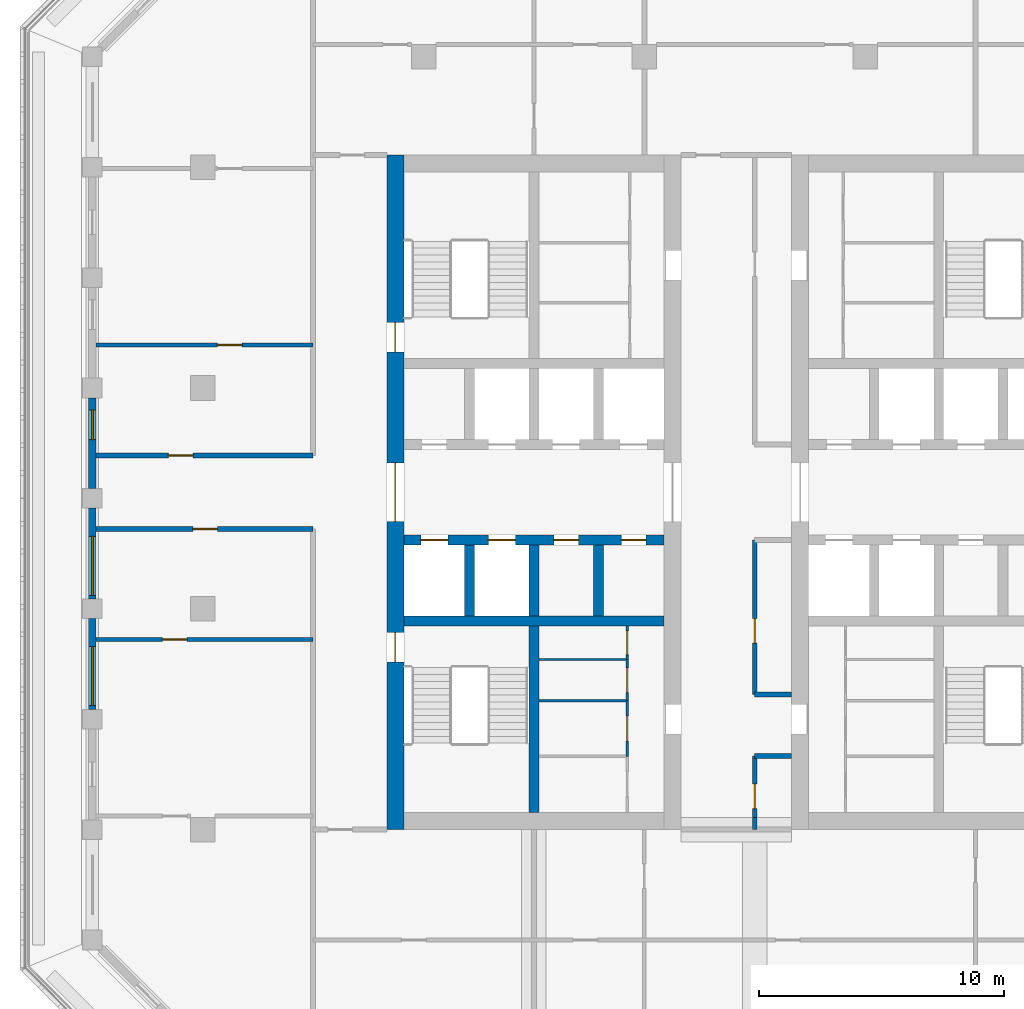
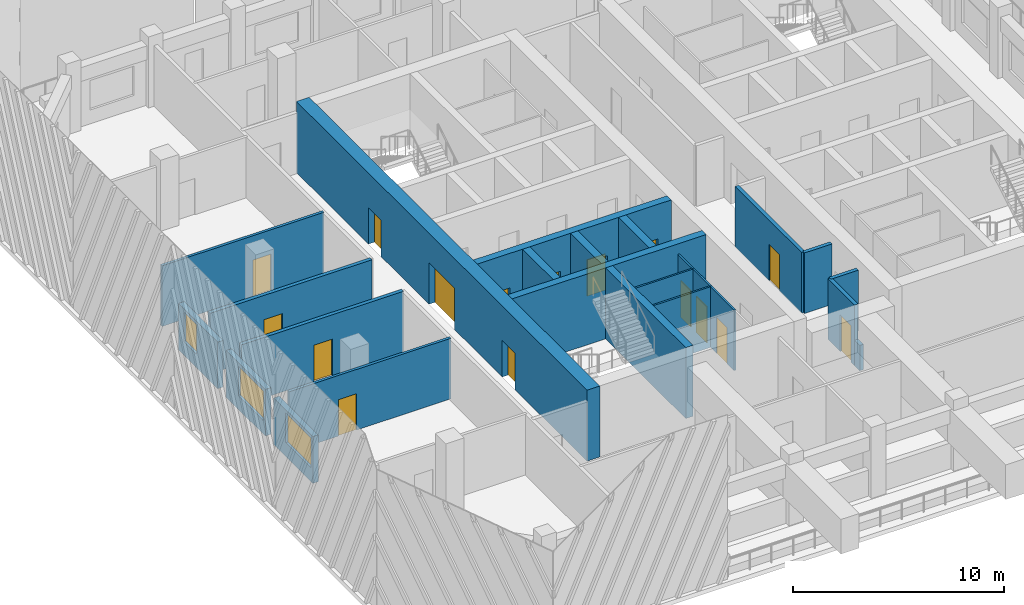
# One storey, part 3 of 16: 24 walls, 16 doors, 3 windows, 19 openings.
"""IFC4 building model written with IfcOpenShell, lengths in metres."""

from ifc_helpers import new_model, si_unit, direction, frame, frame_2d, origin, place, context, subcontext, project, spatial, rectangle, extrude, material, layer, layer_set, type_object, element, fill, save


model = new_model("IFC4")

# Units and contexts
model_context = context("Model", 3, precision=1e-05, world=origin(), true_north=direction((0.0, 1.0)))
body_context = subcontext(model_context, "Body", "Model", "MODEL_VIEW")
ifc_project = project(units=[si_unit("LENGTHUNIT", "METRE"), si_unit("AREAUNIT", "SQUARE_METRE"), si_unit("VOLUMEUNIT", "CUBIC_METRE"), si_unit("PLANEANGLEUNIT", "RADIAN"), si_unit("MASSUNIT", "GRAM", prefix="KILO")], contexts=[model_context])

# Site, building, storey
site_placement = place(None, origin())
site = spatial("IfcSite", under=ifc_project, at=site_placement, CompositionType="ELEMENT")
building_placement = place(site_placement, origin())
building = spatial("IfcBuilding", under=site, at=building_placement, Name="Corbel Stack Research Tower", CompositionType="ELEMENT")
storey_placement = place(building_placement, frame((0.0, 0.0, 290.89990234375)))
storey = spatial("IfcBuildingStorey", under=building, at=storey_placement, Name="L66", CompositionType="ELEMENT", Elevation=290.89990234375)

# Wall
ifc_material_1 = material(Name="Concrete C60/75", Category="concrete")
ifc_layer_1 = layer(ifc_material_1, 0.39990234375)
ifc_layer_set_1 = layer_set([ifc_layer_1], Name="Concrete C60/75")
wall_type_1 = type_object("IfcWallType", Name="CW-400-60", PredefinedType="SHEAR", material=ifc_layer_set_1)
wall_1_placement = place(storey_placement, frame((-9.800048828125, -0.5, 0.0), z_axis=(0.0, 0.0, 1.0), x_axis=(1.0, 0.0, 0.0)))
element("IfcWall", 1, at=wall_1_placement, inside=storey, type_object=wall_type_1, Name="West core wall, south row back L66", PredefinedType="SHEAR", context=body_context, shape_type="SweptSolid", body=[
    extrude(rectangle(XDim=10.60009765625, YDim=0.39990234375, at=frame_2d((5.300048828125, 0.0))), origin(), (0.0, 0.0, 1.0), 4.10009765625),
])

# Wall, openings, doors
wall_2_placement = place(storey_placement, frame((-9.800048828125, 2.800048828125, 0.0), z_axis=(0.0, 0.0, 1.0), x_axis=(1.0, 0.0, 0.0)))
wall_2 = element("IfcWall", 2, at=wall_2_placement, inside=storey, type_object=wall_type_1, Name="West core wall, lobby south L66", PredefinedType="SHEAR", context=body_context, shape_type="SweptSolid", body=[
    extrude(rectangle(XDim=10.60009765625, YDim=0.39990234375, at=frame_2d((5.300048828125, 0.0))), origin(), (0.0, 0.0, 1.0), 4.10009765625),
])
opening_1_placement = place(wall_2_placement, frame((0.6875, 0.0, 0.0)))
opening_1 = element("IfcOpeningElement", 3, at=opening_1_placement, cuts=wall_2, Name="Opening LD-FS1", PredefinedType="OPENING", context=body_context, shape_type="SweptSolid", body=[
    extrude(rectangle(XDim=1.10009765625, YDim=2.10009765625, at=frame_2d((0.550048828125, 1.050048828125))), frame((0.0, 0.2099609375, 0.0), z_axis=(0.0, -1.0, 0.0), x_axis=(1.0, 0.0, 0.0)), (0.0, 0.0, 1.0), 0.419921875),
])
opening_2_placement = place(wall_2_placement, frame((3.4375, 0.0, 0.0)))
opening_2 = element("IfcOpeningElement", 4, at=opening_2_placement, cuts=wall_2, Name="Opening LD-GL1", PredefinedType="OPENING", context=body_context, shape_type="SweptSolid", body=[
    extrude(rectangle(XDim=1.10009765625, YDim=2.10009765625, at=frame_2d((0.550048828125, 1.050048828125))), frame((0.0, 0.2099609375, 0.0), z_axis=(0.0, -1.0, 0.0), x_axis=(1.0, 0.0, 0.0)), (0.0, 0.0, 1.0), 0.419921875),
])
opening_3_placement = place(wall_2_placement, frame((6.112548828125, 0.0, 0.0)))
opening_3 = element("IfcOpeningElement", 5, at=opening_3_placement, cuts=wall_2, Name="Opening CR-W42-S3", PredefinedType="OPENING", context=body_context, shape_type="SweptSolid", body=[
    extrude(rectangle(XDim=1.0, YDim=2.10009765625, at=frame_2d((0.5, 1.050048828125))), frame((0.0, 0.2099609375, 0.0), z_axis=(0.0, -1.0, 0.0), x_axis=(1.0, 0.0, 0.0)), (0.0, 0.0, 1.0), 0.419921875),
])
opening_4_placement = place(wall_2_placement, frame((8.862548828125, 0.0, 0.0)))
opening_4 = element("IfcOpeningElement", 6, at=opening_4_placement, cuts=wall_2, Name="Opening CR-W42-S4", PredefinedType="OPENING", context=body_context, shape_type="SweptSolid", body=[
    extrude(rectangle(XDim=1.0, YDim=2.10009765625, at=frame_2d((0.5, 1.050048828125))), frame((0.0, 0.2099609375, 0.0), z_axis=(0.0, -1.0, 0.0), x_axis=(1.0, 0.0, 0.0)), (0.0, 0.0, 1.0), 0.419921875),
])
ifc_material_2 = material(Name="Stainless steel landing door", Category="steel")
door_type_1 = type_object("IfcDoorType", Name="Lift landing door 1100 x 2100", OperationType="DOUBLE_DOOR_SLIDING", PredefinedType="DOOR", material=ifc_material_2)
door_1_placement = place(opening_1_placement, origin())
door_1 = element("IfcDoor", 7, at=door_1_placement, inside=storey, type_object=door_type_1, Name="Landing door FS1", OperationType="DOUBLE_DOOR_SLIDING", OverallHeight=2.10009765625, OverallWidth=1.10009765625, PredefinedType="DOOR", context=body_context, shape_type="SweptSolid", body=[
    extrude(rectangle(XDim=1.10009765625, YDim=2.10009765625, at=frame_2d((0.550048828125, 1.050048828125))), frame((0.0, 0.02490234375, 0.0), z_axis=(0.0, -1.0, 0.0), x_axis=(1.0, 0.0, 0.0)), (0.0, 0.0, 1.0), 0.050048828125),
])
fill(opening_1, door_1)
door_2_placement = place(opening_2_placement, origin())
door_2 = element("IfcDoor", 8, at=door_2_placement, inside=storey, type_object=door_type_1, Name="Landing door GL1", OperationType="DOUBLE_DOOR_SLIDING", OverallHeight=2.10009765625, OverallWidth=1.10009765625, PredefinedType="DOOR", context=body_context, shape_type="SweptSolid", body=[
    extrude(rectangle(XDim=1.10009765625, YDim=2.10009765625, at=frame_2d((0.550048828125, 1.050048828125))), frame((0.0, 0.02490234375, 0.0), z_axis=(0.0, -1.0, 0.0), x_axis=(1.0, 0.0, 0.0)), (0.0, 0.0, 1.0), 0.050048828125),
])
fill(opening_2, door_2)
ifc_material_3 = material(Name="Painted steel door", Category="steel")
door_type_2 = type_object("IfcDoorType", Name="Service door 1000 x 2100 FD60 left hand", OperationType="SINGLE_SWING_LEFT", PredefinedType="DOOR", material=ifc_material_3)
door_3_placement = place(opening_3_placement, origin())
door_3 = element("IfcDoor", 9, at=door_3_placement, inside=storey, type_object=door_type_2, Name="Laboratory consumables store door W core", OperationType="SINGLE_SWING_LEFT", OverallHeight=2.10009765625, OverallWidth=1.0, PredefinedType="DOOR", context=body_context, shape_type="SweptSolid", body=[
    extrude(rectangle(XDim=1.0, YDim=2.10009765625, at=frame_2d((0.5, 1.050048828125))), frame((0.0, 0.02490234375, 0.0), z_axis=(0.0, -1.0, 0.0), x_axis=(1.0, 0.0, 0.0)), (0.0, 0.0, 1.0), 0.050048828125),
])
fill(opening_3, door_3)
ifc_material_4 = material(Name="Painted steel door", Category="steel")
door_type_3 = type_object("IfcDoorType", Name="Service door 1000 x 2100 FD60 right hand", OperationType="SINGLE_SWING_RIGHT", PredefinedType="DOOR", material=ifc_material_4)
door_4_placement = place(opening_4_placement, origin())
door_4 = element("IfcDoor", 10, at=door_4_placement, inside=storey, type_object=door_type_3, Name="Cleaner's store door W core", OperationType="SINGLE_SWING_RIGHT", OverallHeight=2.10009765625, OverallWidth=1.0, PredefinedType="DOOR", context=body_context, shape_type="SweptSolid", body=[
    extrude(rectangle(XDim=1.0, YDim=2.10009765625, at=frame_2d((0.5, 1.050048828125))), frame((0.0, 0.02490234375, 0.0), z_axis=(0.0, -1.0, 0.0), x_axis=(1.0, 0.0, 0.0)), (0.0, 0.0, 1.0), 0.050048828125),
])
fill(opening_4, door_4)

# Walls
for number, where, z_axis, x_axis, name in (
    (11, (-7.125, -0.300048828125, 0.0), (0.0, 0.0, 1.0), (0.0, 1.0, 0.0), "West core wall, south shaft 1 L66"),
    (12, (-4.5, -0.300048828125, 0.0), (0.0, 0.0, 1.0), (0.0, 1.0, 0.0), "West core wall, south shaft 2 L66"),
    (13, (-1.875, -0.300048828125, 0.0), (0.0, 0.0, 1.0), (0.0, 1.0, 0.0), "West core wall, south shaft 3 L66"),
):
    element("IfcWall", number, at=place(storey_placement, frame(where, z_axis=z_axis, x_axis=x_axis)), inside=storey, type_object=wall_type_1, Name=name, PredefinedType="SHEAR", context=body_context, shape_type="SweptSolid", body=[
        extrude(rectangle(XDim=2.900146484375, YDim=0.39990234375, at=frame_2d((1.4501953125, 0.0))), origin(), (0.0, 0.0, 1.0), 4.10009765625),
    ])
wall_3_placement = place(storey_placement, frame((-4.5, -8.300048828125, 0.0), z_axis=(0.0, 0.0, 1.0), x_axis=(0.0, 1.0, 0.0)))
element("IfcWall", 14, at=wall_3_placement, inside=storey, type_object=wall_type_1, Name="West core wall, south stair and WC L66", PredefinedType="SHEAR", context=body_context, shape_type="SweptSolid", body=[
    extrude(rectangle(XDim=7.60009765625, YDim=0.39990234375, at=frame_2d((3.800048828125, 0.0))), origin(), (0.0, 0.0, 1.0), 4.10009765625),
])

# Wall, openings, doors
ifc_material_5 = material(Name="Concrete C60/75", Category="concrete")
ifc_layer_2 = layer(ifc_material_5, 0.699951171875)
ifc_layer_set_2 = layer_set([ifc_layer_2], Name="Concrete C60/75")
wall_type_2 = type_object("IfcWallType", Name="CW-700-60", PredefinedType="SHEAR", material=ifc_layer_set_2)
wall_4_placement = place(storey_placement, frame((-10.14990234375, -9.0, 0.0), z_axis=(0.0, 0.0, 1.0), x_axis=(0.0, 1.0, 0.0)))
wall_4 = element("IfcWall", 15, at=wall_4_placement, inside=storey, type_object=wall_type_2, Name="West core wall, west face L66", PredefinedType="SHEAR", context=body_context, shape_type="SweptSolid", body=[
    extrude(rectangle(XDim=27.5, YDim=0.699951171875, at=frame_2d((13.75, 0.0))), origin(), (0.0, 0.0, 1.0), 4.10009765625),
])
opening_5_placement = place(wall_4_placement, frame((12.550048828125, 0.0, 0.0)))
opening_5 = element("IfcOpeningElement", 16, at=opening_5_placement, cuts=wall_4, Name="Opening CD-W-W", PredefinedType="OPENING", context=body_context, shape_type="SweptSolid", body=[
    extrude(rectangle(XDim=2.39990234375, YDim=2.39990234375, at=frame_2d((1.199951171875, 1.199951171875))), frame((0.0, 0.35986328125, 0.0), z_axis=(0.0, -1.0, 0.0), x_axis=(1.0, 0.0, 0.0)), (0.0, 0.0, 1.0), 0.719970703125),
])
opening_6_placement = place(wall_4_placement, frame((6.824951171875, 0.0, 0.0)))
opening_6 = element("IfcOpeningElement", 17, at=opening_6_placement, cuts=wall_4, Name="Opening SD-ST-W1", PredefinedType="OPENING", context=body_context, shape_type="SweptSolid", body=[
    extrude(rectangle(XDim=1.199951171875, YDim=2.10009765625, at=frame_2d((0.60009765625, 1.050048828125))), frame((0.0, 0.35986328125, 0.0), z_axis=(0.0, -1.0, 0.0), x_axis=(1.0, 0.0, 0.0)), (0.0, 0.0, 1.0), 0.719970703125),
])
opening_7_placement = place(wall_4_placement, frame((19.47509765625, 0.0, 0.0)))
opening_7 = element("IfcOpeningElement", 18, at=opening_7_placement, cuts=wall_4, Name="Opening SD-ST-W2", PredefinedType="OPENING", context=body_context, shape_type="SweptSolid", body=[
    extrude(rectangle(XDim=1.199951171875, YDim=2.10009765625, at=frame_2d((0.60009765625, 1.050048828125))), frame((0.0, 0.35986328125, 0.0), z_axis=(0.0, -1.0, 0.0), x_axis=(1.0, 0.0, 0.0)), (0.0, 0.0, 1.0), 0.719970703125),
])
ifc_material_6 = material(Name="Painted steel fire door", Category="steel")
door_type_4 = type_object("IfcDoorType", Name="Lobby door pair 2400 x 2400 FD30S", OperationType="DOUBLE_DOOR_DOUBLE_SWING", PredefinedType="DOOR", material=ifc_material_6)
door_5_placement = place(opening_5_placement, origin())
door_5 = element("IfcDoor", 19, at=door_5_placement, inside=storey, type_object=door_type_4, Name="Lift lobby door W core W", OperationType="DOUBLE_DOOR_DOUBLE_SWING", OverallHeight=2.39990234375, OverallWidth=2.39990234375, PredefinedType="DOOR", context=body_context, shape_type="SweptSolid", body=[
    extrude(rectangle(XDim=2.39990234375, YDim=2.39990234375, at=frame_2d((1.199951171875, 1.199951171875))), frame((0.0, 0.02490234375, 0.0), z_axis=(0.0, -1.0, 0.0), x_axis=(1.0, 0.0, 0.0)), (0.0, 0.0, 1.0), 0.050048828125),
])
fill(opening_5, door_5)
ifc_material_7 = material(Name="Painted steel fire door", Category="steel")
door_type_5 = type_object("IfcDoorType", Name="Stair door 1200 x 2100 FD90 left hand", OperationType="SINGLE_SWING_LEFT", PredefinedType="DOOR", material=ifc_material_7)
door_6_placement = place(opening_6_placement, origin())
door_6 = element("IfcDoor", 20, at=door_6_placement, inside=storey, type_object=door_type_5, Name="Stair door ST-W1", OperationType="SINGLE_SWING_LEFT", OverallHeight=2.10009765625, OverallWidth=1.199951171875, PredefinedType="DOOR", context=body_context, shape_type="SweptSolid", body=[
    extrude(rectangle(XDim=1.199951171875, YDim=2.10009765625, at=frame_2d((0.60009765625, 1.050048828125))), frame((0.0, 0.02490234375, 0.0), z_axis=(0.0, -1.0, 0.0), x_axis=(1.0, 0.0, 0.0)), (0.0, 0.0, 1.0), 0.050048828125),
])
fill(opening_6, door_6)
door_7_placement = place(opening_7_placement, origin())
door_7 = element("IfcDoor", 21, at=door_7_placement, inside=storey, type_object=door_type_5, Name="Stair door ST-W2", OperationType="SINGLE_SWING_LEFT", OverallHeight=2.10009765625, OverallWidth=1.199951171875, PredefinedType="DOOR", context=body_context, shape_type="SweptSolid", body=[
    extrude(rectangle(XDim=1.199951171875, YDim=2.10009765625, at=frame_2d((0.60009765625, 1.050048828125))), frame((0.0, 0.02490234375, 0.0), z_axis=(0.0, -1.0, 0.0), x_axis=(1.0, 0.0, 0.0)), (0.0, 0.0, 1.0), 0.050048828125),
])
fill(opening_7, door_7)

# Wall, opening, door
ifc_material_8 = material(Name="Gypsum board")
ifc_layer_3 = layer(ifc_material_8, 0.10009765625)
ifc_layer_set_3 = layer_set([ifc_layer_3], Name="Gypsum board")
wall_type_3 = type_object("IfcWallType", Name="Core partition 100", PredefinedType="PARTITIONING", material=ifc_layer_set_3)
wall_5_placement = place(storey_placement, frame((-0.699951171875, -6.02001953125, 0.0), z_axis=(0.0, 0.0, 1.0), x_axis=(0.0, 1.0, 0.0)))
wall_5 = element("IfcWall", 22, at=wall_5_placement, inside=storey, type_object=wall_type_3, Name="Core partition W", PredefinedType="PARTITIONING", context=body_context, shape_type="SweptSolid", body=[
    extrude(rectangle(XDim=2.280029296875, YDim=0.10009765625, at=frame_2d((1.14013671875, 0.0))), origin(), (0.0, 0.0, 1.0), 3.5),
])
opening_8_placement = place(wall_5_placement, frame((0.639892578125, 0.0, 0.0)))
opening_8 = element("IfcOpeningElement", 23, at=opening_8_placement, cuts=wall_5, Name="Opening CR-W42-W3-1000", PredefinedType="OPENING", context=body_context, shape_type="SweptSolid", body=[
    extrude(rectangle(XDim=1.0, YDim=2.10009765625, at=frame_2d((0.5, 1.050048828125))), frame((0.0, 0.06005859375, 0.0), z_axis=(0.0, -1.0, 0.0), x_axis=(1.0, 0.0, 0.0)), (0.0, 0.0, 1.0), 0.1201171875),
])
ifc_material_9 = material(Name="Painted timber door", Category="wood")
door_type_6 = type_object("IfcDoorType", Name="WC door 1000 x 2100 left hand", OperationType="SINGLE_SWING_LEFT", PredefinedType="DOOR", material=ifc_material_9)
door_8_placement = place(opening_8_placement, origin())
door_8 = element("IfcDoor", 24, at=door_8_placement, inside=storey, type_object=door_type_6, Name="Women's WC door W core", OperationType="SINGLE_SWING_LEFT", OverallHeight=2.10009765625, OverallWidth=1.0, PredefinedType="DOOR", context=body_context, shape_type="SweptSolid", body=[
    extrude(rectangle(XDim=1.0, YDim=2.10009765625, at=frame_2d((0.5, 1.050048828125))), frame((0.0, 0.02490234375, 0.0), z_axis=(0.0, -1.0, 0.0), x_axis=(1.0, 0.0, 0.0)), (0.0, 0.0, 1.0), 0.050048828125),
])
fill(opening_8, door_8)

wall_6_placement = place(storey_placement, frame((-0.699951171875, -3.739990234375, 0.0), z_axis=(0.0, 0.0, 1.0), x_axis=(0.0, 1.0, 0.0)))
wall_6 = element("IfcWall", 25, at=wall_6_placement, inside=storey, type_object=wall_type_3, Name="Core partition W", PredefinedType="PARTITIONING", context=body_context, shape_type="SweptSolid", body=[
    extrude(rectangle(XDim=1.671875, YDim=0.10009765625, at=frame_2d((0.8359375, 0.0))), origin(), (0.0, 0.0, 1.0), 3.5),
])
opening_9_placement = place(wall_6_placement, frame((0.3359375, 0.0, 0.0)))
opening_9 = element("IfcOpeningElement", 26, at=opening_9_placement, cuts=wall_6, Name="Opening CR-W42-W4-1000", PredefinedType="OPENING", context=body_context, shape_type="SweptSolid", body=[
    extrude(rectangle(XDim=1.0, YDim=2.10009765625, at=frame_2d((0.5, 1.050048828125))), frame((0.0, 0.06005859375, 0.0), z_axis=(0.0, -1.0, 0.0), x_axis=(1.0, 0.0, 0.0)), (0.0, 0.0, 1.0), 0.1201171875),
])
ifc_material_10 = material(Name="Painted timber door", Category="wood")
door_type_7 = type_object("IfcDoorType", Name="WC door 1000 x 2100 right hand", OperationType="SINGLE_SWING_RIGHT", PredefinedType="DOOR", material=ifc_material_10)
door_9_placement = place(opening_9_placement, origin())
door_9 = element("IfcDoor", 27, at=door_9_placement, inside=storey, type_object=door_type_7, Name="Accessible WC door W core", OperationType="SINGLE_SWING_RIGHT", OverallHeight=2.10009765625, OverallWidth=1.0, PredefinedType="DOOR", context=body_context, shape_type="SweptSolid", body=[
    extrude(rectangle(XDim=1.0, YDim=2.10009765625, at=frame_2d((0.5, 1.050048828125))), frame((0.0, 0.02490234375, 0.0), z_axis=(0.0, -1.0, 0.0), x_axis=(1.0, 0.0, 0.0)), (0.0, 0.0, 1.0), 0.050048828125),
])
fill(opening_9, door_9)

wall_7_placement = place(storey_placement, frame((-0.699951171875, -2.068115234375, 0.0), z_axis=(0.0, 0.0, 1.0), x_axis=(0.0, 1.0, 0.0)))
wall_7 = element("IfcWall", 28, at=wall_7_placement, inside=storey, type_object=wall_type_3, Name="Core partition W", PredefinedType="PARTITIONING", context=body_context, shape_type="SweptSolid", body=[
    extrude(rectangle(XDim=1.3681640625, YDim=0.10009765625, at=frame_2d((0.68408203125, 0.0))), origin(), (0.0, 0.0, 1.0), 3.5),
])
opening_10_placement = place(wall_7_placement, frame((0.199951171875, 0.0, 0.0)))
opening_10 = element("IfcOpeningElement", 29, at=opening_10_placement, cuts=wall_7, Name="Opening CR-W42-W5-968", PredefinedType="OPENING", context=body_context, shape_type="SweptSolid", body=[
    extrude(rectangle(XDim=0.968017578125, YDim=2.10009765625, at=frame_2d((0.48388671875, 1.050048828125))), frame((0.0, 0.06005859375, 0.0), z_axis=(0.0, -1.0, 0.0), x_axis=(1.0, 0.0, 0.0)), (0.0, 0.0, 1.0), 0.1201171875),
])
ifc_material_11 = material(Name="Painted steel door", Category="steel")
door_type_8 = type_object("IfcDoorType", Name="Service door 968 x 2100 FD30 left hand", OperationType="SINGLE_SWING_LEFT", PredefinedType="DOOR", material=ifc_material_11)
door_10_placement = place(opening_10_placement, origin())
door_10 = element("IfcDoor", 30, at=door_10_placement, inside=storey, type_object=door_type_8, Name="Cleaner's store door W core", OperationType="SINGLE_SWING_LEFT", OverallHeight=2.10009765625, OverallWidth=0.968017578125, PredefinedType="DOOR", context=body_context, shape_type="SweptSolid", body=[
    extrude(rectangle(XDim=0.968017578125, YDim=2.10009765625, at=frame_2d((0.48388671875, 1.050048828125))), frame((0.0, 0.02490234375, 0.0), z_axis=(0.0, -1.0, 0.0), x_axis=(1.0, 0.0, 0.0)), (0.0, 0.0, 1.0), 0.050048828125),
])
fill(opening_10, door_10)

# Walls
for number, where, z_axis, x_axis, name in (
    (31, (-4.300048828125, -3.739990234375, 0.0), (0.0, 0.0, 1.0), (1.0, 0.0, 0.0), "Core partition W"),
    (32, (-4.300048828125, -2.068115234375, 0.0), (0.0, 0.0, 1.0), (1.0, 0.0, 0.0), "Core partition W"),
):
    element("IfcWall", number, at=place(storey_placement, frame(where, z_axis=z_axis, x_axis=x_axis)), inside=storey, type_object=wall_type_3, Name=name, PredefinedType="PARTITIONING", context=body_context, shape_type="SweptSolid", body=[
        extrude(rectangle(XDim=3.60009765625, YDim=0.10009765625, at=frame_2d((1.800048828125, 0.0))), origin(), (0.0, 0.0, 1.0), 3.5),
    ])
ifc_material_12 = material(Name="Fire-rated gypsum board partition on steel studs", Category="steel")
ifc_layer_4 = layer(ifc_material_12, 0.199951171875)
ifc_layer_set_4 = layer_set([ifc_layer_4], Name="Fire-rated gypsum board partition on steel studs")
wall_type_4 = type_object("IfcWallType", Name="Fire-rated partition 200 EI 60", PredefinedType="PARTITIONING", material=ifc_layer_set_4)
wall_8_placement = place(storey_placement, frame((4.5, -9.0, 0.0), z_axis=(0.0, 0.0, 1.0), x_axis=(0.0, 1.0, 0.0)))
element("IfcWall", 33, at=wall_8_placement, inside=storey, type_object=wall_type_4, Name="Partition L66-008", PredefinedType="PARTITIONING", context=body_context, shape_type="SweptSolid", body=[
    extrude(rectangle(XDim=0.5, YDim=0.199951171875, at=frame_2d((0.25, 0.0))), origin(), (0.0, 0.0, 1.0), 1.47021484375),
])

# Wall, opening, door
wall_9_placement = place(storey_placement, frame((4.5, -6.0, 0.0), z_axis=(0.0, 0.0, 1.0), x_axis=(0.0, -1.0, 0.0)))
wall_9 = element("IfcWall", 34, at=wall_9_placement, inside=storey, type_object=wall_type_4, Name="Partition L66-009", PredefinedType="PARTITIONING", context=body_context, shape_type="SweptSolid", body=[
    extrude(rectangle(XDim=2.5, YDim=0.199951171875, at=frame_2d((1.25, 0.0))), origin(), (0.0, 0.0, 1.0), 3.5),
])
opening_11_placement = place(wall_9_placement, frame((1.14990234375, 0.0, 0.0)))
opening_11 = element("IfcOpeningElement", 35, at=opening_11_placement, cuts=wall_9, Name="Opening B8V2P-012", PredefinedType="OPENING", context=body_context, shape_type="SweptSolid", body=[
    extrude(rectangle(XDim=1.0, YDim=2.10009765625, at=frame_2d((0.5, 1.050048828125))), frame((0.0, 0.10986328125, 0.0), z_axis=(0.0, -1.0, 0.0), x_axis=(1.0, 0.0, 0.0)), (0.0, 0.0, 1.0), 0.219970703125),
])
ifc_material_13 = material(Name="Painted steel fire door", Category="steel")
door_type_9 = type_object("IfcDoorType", Name="Fire door FD30S 1000 x 2100", OperationType="NOTDEFINED", PredefinedType="DOOR", material=ifc_material_13)
door_11_placement = place(opening_11_placement, origin())
door_11 = element("IfcDoor", 36, at=door_11_placement, inside=storey, type_object=door_type_9, Name="Door B8V2P-012", OperationType="SINGLE_SWING_RIGHT", OverallHeight=2.10009765625, OverallWidth=1.0, PredefinedType="DOOR", context=body_context, shape_type="SweptSolid", body=[
    extrude(rectangle(XDim=1.0, YDim=2.10009765625, at=frame_2d((0.5, 1.050048828125))), frame((0.0, 0.02490234375, 0.0), z_axis=(0.0, -1.0, 0.0), x_axis=(1.0, 0.0, 0.0)), (0.0, 0.0, 1.0), 0.050048828125),
])
fill(opening_11, door_11)

wall_10_placement = place(storey_placement, frame((4.5, 2.800048828125, 0.0), z_axis=(0.0, 0.0, 1.0), x_axis=(0.0, -1.0, 0.0)))
wall_10 = element("IfcWall", 37, at=wall_10_placement, inside=storey, type_object=wall_type_4, Name="Partition L66-010", PredefinedType="PARTITIONING", context=body_context, shape_type="SweptSolid", body=[
    extrude(rectangle(XDim=6.300048828125, YDim=0.199951171875, at=frame_2d((3.14990234375, 0.0))), origin(), (0.0, 0.0, 1.0), 3.5),
])
opening_12_placement = place(wall_10_placement, frame((3.199951171875, 0.0, 0.0)))
opening_12 = element("IfcOpeningElement", 38, at=opening_12_placement, cuts=wall_10, Name="Opening B8V2P-013", PredefinedType="OPENING", context=body_context, shape_type="SweptSolid", body=[
    extrude(rectangle(XDim=1.0, YDim=2.10009765625, at=frame_2d((0.5, 1.050048828125))), frame((0.0, 0.10986328125, 0.0), z_axis=(0.0, -1.0, 0.0), x_axis=(1.0, 0.0, 0.0)), (0.0, 0.0, 1.0), 0.219970703125),
])
door_12_placement = place(opening_12_placement, origin())
door_12 = element("IfcDoor", 39, at=door_12_placement, inside=storey, type_object=door_type_9, Name="Door B8V2P-013", OperationType="SINGLE_SWING_RIGHT", OverallHeight=2.10009765625, OverallWidth=1.0, PredefinedType="DOOR", context=body_context, shape_type="SweptSolid", body=[
    extrude(rectangle(XDim=1.0, YDim=2.10009765625, at=frame_2d((0.5, 1.050048828125))), frame((0.0, 0.02490234375, 0.0), z_axis=(0.0, -1.0, 0.0), x_axis=(1.0, 0.0, 0.0)), (0.0, 0.0, 1.0), 0.050048828125),
])
fill(opening_12, door_12)

# Walls
for number, where, z_axis, x_axis, name in (
    (40, (4.5, -6.0, 0.0), (0.0, 0.0, 1.0), (1.0, 0.0, 0.0), "Partition L66-024"),
    (41, (4.5, -3.5, 0.0), (0.0, 0.0, 1.0), (1.0, 0.0, 0.0), "Partition L66-025"),
):
    element("IfcWall", number, at=place(storey_placement, frame(where, z_axis=z_axis, x_axis=x_axis)), inside=storey, type_object=wall_type_4, Name=name, PredefinedType="PARTITIONING", context=body_context, shape_type="SweptSolid", body=[
        extrude(rectangle(XDim=1.5, YDim=0.199951171875, at=frame_2d((0.75, 0.0))), origin(), (0.0, 0.0, 1.0), 3.5),
    ])

# Wall, opening, door
wall_11_placement = place(storey_placement, frame((-13.5, 3.25, 0.0), z_axis=(0.0, 0.0, 1.0), x_axis=(-1.0, 0.0, 0.0)))
wall_11 = element("IfcWall", 42, at=wall_11_placement, inside=storey, type_object=wall_type_4, Name="Partition L66-028", PredefinedType="PARTITIONING", context=body_context, shape_type="SweptSolid", body=[
    extrude(rectangle(XDim=8.85009765625, YDim=0.199951171875, at=frame_2d((4.425048828125, 0.0))), origin(), (0.0, 0.0, 1.0), 3.5),
])
opening_13_placement = place(wall_11_placement, frame((3.89990234375, 0.0, 0.0)))
opening_13 = element("IfcOpeningElement", 43, at=opening_13_placement, cuts=wall_11, Name="Opening B8V2P-011", PredefinedType="OPENING", context=body_context, shape_type="SweptSolid", body=[
    extrude(rectangle(XDim=1.0, YDim=2.10009765625, at=frame_2d((0.5, 1.050048828125))), frame((0.0, 0.10986328125, 0.0), z_axis=(0.0, -1.0, 0.0), x_axis=(1.0, 0.0, 0.0)), (0.0, 0.0, 1.0), 0.219970703125),
])
door_13_placement = place(opening_13_placement, origin())
door_13 = element("IfcDoor", 44, at=door_13_placement, inside=storey, type_object=door_type_9, Name="Door B8V2P-011", OperationType="SINGLE_SWING_RIGHT", OverallHeight=2.10009765625, OverallWidth=1.0, PredefinedType="DOOR", context=body_context, shape_type="SweptSolid", body=[
    extrude(rectangle(XDim=1.0, YDim=2.10009765625, at=frame_2d((0.5, 1.050048828125))), frame((0.0, 0.02490234375, 0.0), z_axis=(0.0, -1.0, 0.0), x_axis=(1.0, 0.0, 0.0)), (0.0, 0.0, 1.0), 0.050048828125),
])
fill(opening_13, door_13)

wall_12_placement = place(storey_placement, frame((-22.35009765625, 6.25, 0.0), z_axis=(0.0, 0.0, 1.0), x_axis=(1.0, 0.0, 0.0)))
wall_12 = element("IfcWall", 45, at=wall_12_placement, inside=storey, type_object=wall_type_4, Name="Partition L66-029", PredefinedType="PARTITIONING", context=body_context, shape_type="SweptSolid", body=[
    extrude(rectangle(XDim=8.85009765625, YDim=0.199951171875, at=frame_2d((4.425048828125, 0.0))), origin(), (0.0, 0.0, 1.0), 3.5),
])
opening_14_placement = place(wall_12_placement, frame((2.949951171875, 0.0, 0.0)))
opening_14 = element("IfcOpeningElement", 46, at=opening_14_placement, cuts=wall_12, Name="Opening B8V2P-015", PredefinedType="OPENING", context=body_context, shape_type="SweptSolid", body=[
    extrude(rectangle(XDim=1.0, YDim=2.10009765625, at=frame_2d((0.5, 1.050048828125))), frame((0.0, 0.10986328125, 0.0), z_axis=(0.0, -1.0, 0.0), x_axis=(1.0, 0.0, 0.0)), (0.0, 0.0, 1.0), 0.219970703125),
])
door_14_placement = place(opening_14_placement, origin())
door_14 = element("IfcDoor", 47, at=door_14_placement, inside=storey, type_object=door_type_9, Name="Door B8V2P-015", OperationType="SINGLE_SWING_LEFT", OverallHeight=2.10009765625, OverallWidth=1.0, PredefinedType="DOOR", context=body_context, shape_type="SweptSolid", body=[
    extrude(rectangle(XDim=1.0, YDim=2.10009765625, at=frame_2d((0.5, 1.050048828125))), frame((0.0, 0.02490234375, 0.0), z_axis=(0.0, -1.0, 0.0), x_axis=(1.0, 0.0, 0.0)), (0.0, 0.0, 1.0), 0.050048828125),
])
fill(opening_14, door_14)

ifc_material_14 = material(Name="Gypsum board partition on steel studs", Category="steel")
ifc_layer_5 = layer(ifc_material_14, 0.14990234375)
ifc_layer_set_5 = layer_set([ifc_layer_5], Name="Gypsum board partition on steel studs")
wall_type_5 = type_object("IfcWallType", Name="Partition 150", PredefinedType="PARTITIONING", material=ifc_layer_set_5)
wall_13_placement = place(storey_placement, frame((-13.5, -1.25, 0.0), z_axis=(0.0, 0.0, 1.0), x_axis=(-1.0, 0.0, 0.0)))
wall_13 = element("IfcWall", 48, at=wall_13_placement, inside=storey, type_object=wall_type_5, Name="Partition L66-026", PredefinedType="PARTITIONING", context=body_context, shape_type="SweptSolid", body=[
    extrude(rectangle(XDim=8.85009765625, YDim=0.14990234375, at=frame_2d((4.425048828125, 0.0))), origin(), (0.0, 0.0, 1.0), 3.5),
])
opening_15_placement = place(wall_13_placement, frame((5.14990234375, 0.0, 0.0)))
opening_15 = element("IfcOpeningElement", 49, at=opening_15_placement, cuts=wall_13, Name="Opening B8V2P-009", PredefinedType="OPENING", context=body_context, shape_type="SweptSolid", body=[
    extrude(rectangle(XDim=1.0, YDim=2.10009765625, at=frame_2d((0.5, 1.050048828125))), frame((0.0, 0.0849609375, 0.0), z_axis=(0.0, -1.0, 0.0), x_axis=(1.0, 0.0, 0.0)), (0.0, 0.0, 1.0), 0.169921875),
])
ifc_material_15 = material(Name="Painted timber door", Category="wood")
door_type_10 = type_object("IfcDoorType", Name="Single door 1000 x 2100", OperationType="NOTDEFINED", PredefinedType="DOOR", material=ifc_material_15)
door_15_placement = place(opening_15_placement, origin())
door_15 = element("IfcDoor", 50, at=door_15_placement, inside=storey, type_object=door_type_10, Name="Door B8V2P-009", OperationType="SINGLE_SWING_RIGHT", OverallHeight=2.10009765625, OverallWidth=1.0, PredefinedType="DOOR", context=body_context, shape_type="SweptSolid", body=[
    extrude(rectangle(XDim=1.0, YDim=2.10009765625, at=frame_2d((0.5, 1.050048828125))), frame((0.0, 0.02490234375, 0.0), z_axis=(0.0, -1.0, 0.0), x_axis=(1.0, 0.0, 0.0)), (0.0, 0.0, 1.0), 0.050048828125),
])
fill(opening_15, door_15)

wall_14_placement = place(storey_placement, frame((-22.35009765625, 10.75, 0.0), z_axis=(0.0, 0.0, 1.0), x_axis=(1.0, 0.0, 0.0)))
wall_14 = element("IfcWall", 51, at=wall_14_placement, inside=storey, type_object=wall_type_5, Name="Partition L66-031", PredefinedType="PARTITIONING", context=body_context, shape_type="SweptSolid", body=[
    extrude(rectangle(XDim=8.85009765625, YDim=0.14990234375, at=frame_2d((4.425048828125, 0.0))), origin(), (0.0, 0.0, 1.0), 3.5),
])
opening_16_placement = place(wall_14_placement, frame((4.949951171875, 0.0, 0.0)))
opening_16 = element("IfcOpeningElement", 52, at=opening_16_placement, cuts=wall_14, Name="Opening B8V2P-016", PredefinedType="OPENING", context=body_context, shape_type="SweptSolid", body=[
    extrude(rectangle(XDim=1.0, YDim=2.10009765625, at=frame_2d((0.5, 1.050048828125))), frame((0.0, 0.0849609375, 0.0), z_axis=(0.0, -1.0, 0.0), x_axis=(1.0, 0.0, 0.0)), (0.0, 0.0, 1.0), 0.169921875),
])
door_16_placement = place(opening_16_placement, origin())
door_16 = element("IfcDoor", 53, at=door_16_placement, inside=storey, type_object=door_type_10, Name="Door B8V2P-016", OperationType="SINGLE_SWING_RIGHT", OverallHeight=2.10009765625, OverallWidth=1.0, PredefinedType="DOOR", context=body_context, shape_type="SweptSolid", body=[
    extrude(rectangle(XDim=1.0, YDim=2.10009765625, at=frame_2d((0.5, 1.050048828125))), frame((0.0, 0.02490234375, 0.0), z_axis=(0.0, -1.0, 0.0), x_axis=(1.0, 0.0, 0.0)), (0.0, 0.0, 1.0), 0.050048828125),
])
fill(opening_16, door_16)

# Wall, opening, window
ifc_material_16 = material(Name="Concrete C45/55", Category="concrete")
ifc_layer_6 = layer(ifc_material_16, 0.300048828125)
ifc_layer_set_6 = layer_set([ifc_layer_6], Name="Concrete C45/55")
wall_type_6 = type_object("IfcWallType", Name="Terracotta-faced concrete wall 300", PredefinedType="SOLIDWALL", material=ifc_layer_set_6)
wall_15_placement = place(storey_placement, frame((-22.5, 4.89990234375, 0.0), z_axis=(0.0, 0.0, 1.0), x_axis=(0.0, 1.0, 0.0)))
wall_15 = element("IfcWall", 54, at=wall_15_placement, inside=storey, type_object=wall_type_6, Name="Facade wall L66 W04", PredefinedType="SOLIDWALL", context=body_context, shape_type="SweptSolid", body=[
    extrude(rectangle(XDim=3.7001953125, YDim=0.300048828125, at=frame_2d((1.85009765625, 0.0))), origin(), (0.0, 0.0, 1.0), 2.7001953125),
])
opening_17_placement = place(wall_15_placement, frame((2.0, 0.0, 0.800048828125)))
opening_17 = element("IfcOpeningElement", 55, at=opening_17_placement, cuts=wall_15, Name="Opening W2", PredefinedType="OPENING", context=body_context, shape_type="SweptSolid", body=[
    extrude(rectangle(XDim=1.199951171875, YDim=1.699951171875, at=frame_2d((0.60009765625, 0.85009765625))), frame((0.0, 0.159912109375, 0.0), z_axis=(0.0, -1.0, 0.0), x_axis=(1.0, 0.0, 0.0)), (0.0, 0.0, 1.0), 0.320068359375),
])
ifc_material_17 = material(Name="Aluminium frame, clear double glazing", Category="aluminium")
window_type_1 = type_object("IfcWindowType", Name="Window W2 1200 x 1700", PartitioningType="SINGLE_PANEL", PredefinedType="WINDOW", material=ifc_material_17)
window_1_placement = place(opening_17_placement, origin())
window_1 = element("IfcWindow", 56, at=window_1_placement, inside=storey, type_object=window_type_1, Name="Window W2 L66 W04", OverallHeight=1.699951171875, OverallWidth=1.199951171875, PartitioningType="SINGLE_PANEL", PredefinedType="WINDOW", context=body_context, shape_type="SweptSolid", body=[
    extrude(rectangle(XDim=1.199951171875, YDim=1.699951171875, at=frame_2d((0.60009765625, 0.85009765625))), frame((0.0, 0.030029296875, 0.0), z_axis=(0.0, -1.0, 0.0), x_axis=(1.0, 0.0, 0.0)), (0.0, 0.0, 1.0), 0.06005859375),
])
fill(opening_17, window_1)

wall_16_placement = place(storey_placement, frame((-22.5, 0.39990234375, 0.0), z_axis=(0.0, 0.0, 1.0), x_axis=(0.0, 1.0, 0.0)))
wall_16 = element("IfcWall", 57, at=wall_16_placement, inside=storey, type_object=wall_type_6, Name="Facade wall L66 W05", PredefinedType="SOLIDWALL", context=body_context, shape_type="SweptSolid", body=[
    extrude(rectangle(XDim=3.7001953125, YDim=0.300048828125, at=frame_2d((1.85009765625, 0.0))), origin(), (0.0, 0.0, 1.0), 2.7001953125),
])
opening_18_placement = place(wall_16_placement, frame((0.14990234375, 0.0, 0.800048828125)))
opening_18 = element("IfcOpeningElement", 58, at=opening_18_placement, cuts=wall_16, Name="Opening W1", PredefinedType="OPENING", context=body_context, shape_type="SweptSolid", body=[
    extrude(rectangle(XDim=2.39990234375, YDim=1.699951171875, at=frame_2d((1.199951171875, 0.85009765625))), frame((0.0, 0.159912109375, 0.0), z_axis=(0.0, -1.0, 0.0), x_axis=(1.0, 0.0, 0.0)), (0.0, 0.0, 1.0), 0.320068359375),
])
ifc_material_18 = material(Name="Aluminium frame, clear double glazing", Category="aluminium")
window_type_2 = type_object("IfcWindowType", Name="Window W1 2400 x 1700", PartitioningType="SINGLE_PANEL", PredefinedType="WINDOW", material=ifc_material_18)
window_2_placement = place(opening_18_placement, origin())
window_2 = element("IfcWindow", 59, at=window_2_placement, inside=storey, type_object=window_type_2, Name="Window W1 L66 W05", OverallHeight=1.699951171875, OverallWidth=2.39990234375, PartitioningType="SINGLE_PANEL", PredefinedType="WINDOW", context=body_context, shape_type="SweptSolid", body=[
    extrude(rectangle(XDim=2.39990234375, YDim=1.699951171875, at=frame_2d((1.199951171875, 0.85009765625))), frame((0.0, 0.030029296875, 0.0), z_axis=(0.0, -1.0, 0.0), x_axis=(1.0, 0.0, 0.0)), (0.0, 0.0, 1.0), 0.06005859375),
])
fill(opening_18, window_2)

wall_17_placement = place(storey_placement, frame((-22.5, -4.10009765625, 0.0), z_axis=(0.0, 0.0, 1.0), x_axis=(0.0, 1.0, 0.0)))
wall_17 = element("IfcWall", 60, at=wall_17_placement, inside=storey, type_object=wall_type_6, Name="Facade wall L66 W06", PredefinedType="SOLIDWALL", context=body_context, shape_type="SweptSolid", body=[
    extrude(rectangle(XDim=3.7001953125, YDim=0.300048828125, at=frame_2d((1.85009765625, 0.0))), origin(), (0.0, 0.0, 1.0), 2.7001953125),
])
opening_19_placement = place(wall_17_placement, frame((0.16259765625, 0.0, 0.800048828125)))
opening_19 = element("IfcOpeningElement", 61, at=opening_19_placement, cuts=wall_17, Name="Opening W1", PredefinedType="OPENING", context=body_context, shape_type="SweptSolid", body=[
    extrude(rectangle(XDim=2.39990234375, YDim=1.699951171875, at=frame_2d((1.199951171875, 0.85009765625))), frame((0.0, 0.159912109375, 0.0), z_axis=(0.0, -1.0, 0.0), x_axis=(1.0, 0.0, 0.0)), (0.0, 0.0, 1.0), 0.320068359375),
])
window_3_placement = place(opening_19_placement, origin())
window_3 = element("IfcWindow", 62, at=window_3_placement, inside=storey, type_object=window_type_2, Name="Window W1 L66 W06", OverallHeight=1.699951171875, OverallWidth=2.39990234375, PartitioningType="SINGLE_PANEL", PredefinedType="WINDOW", context=body_context, shape_type="SweptSolid", body=[
    extrude(rectangle(XDim=2.39990234375, YDim=1.699951171875, at=frame_2d((1.199951171875, 0.85009765625))), frame((0.0, 0.030029296875, 0.0), z_axis=(0.0, -1.0, 0.0), x_axis=(1.0, 0.0, 0.0)), (0.0, 0.0, 1.0), 0.06005859375),
])
fill(opening_19, window_3)

save(model, "model.ifc")
